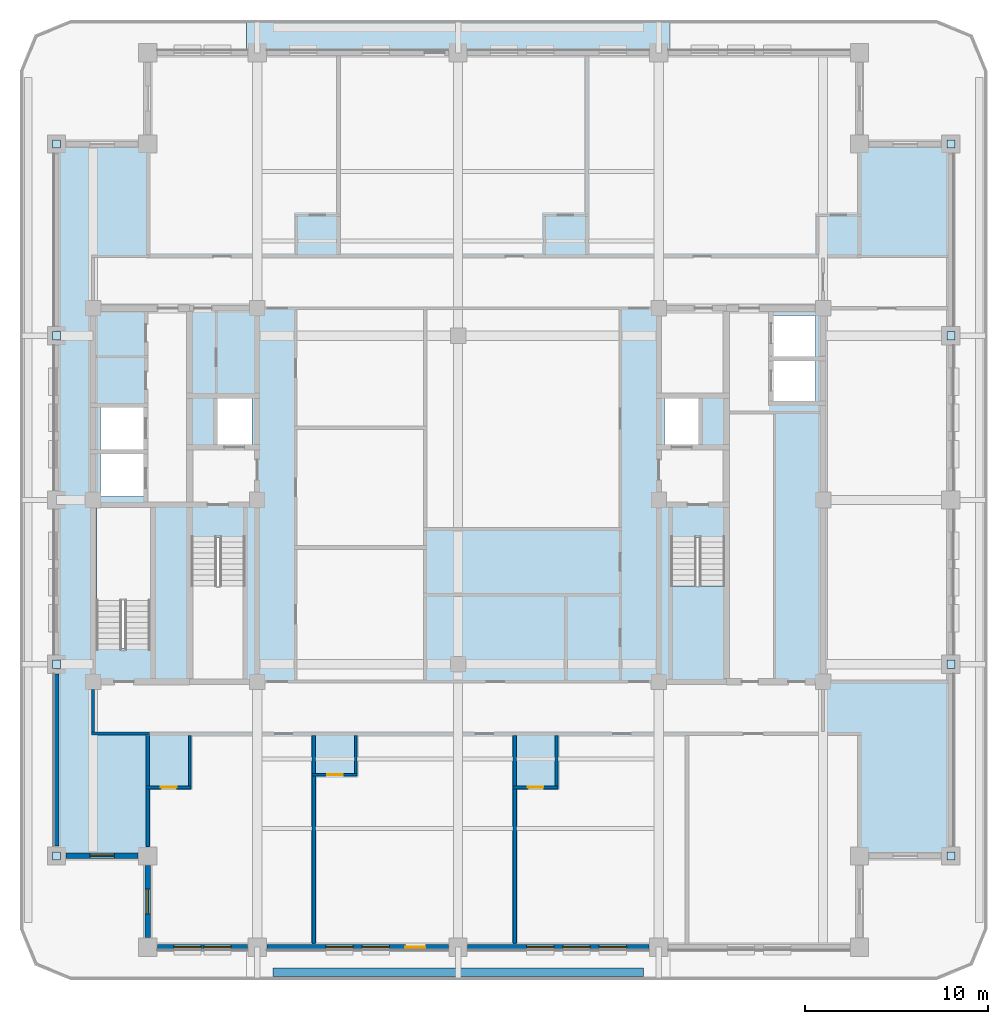
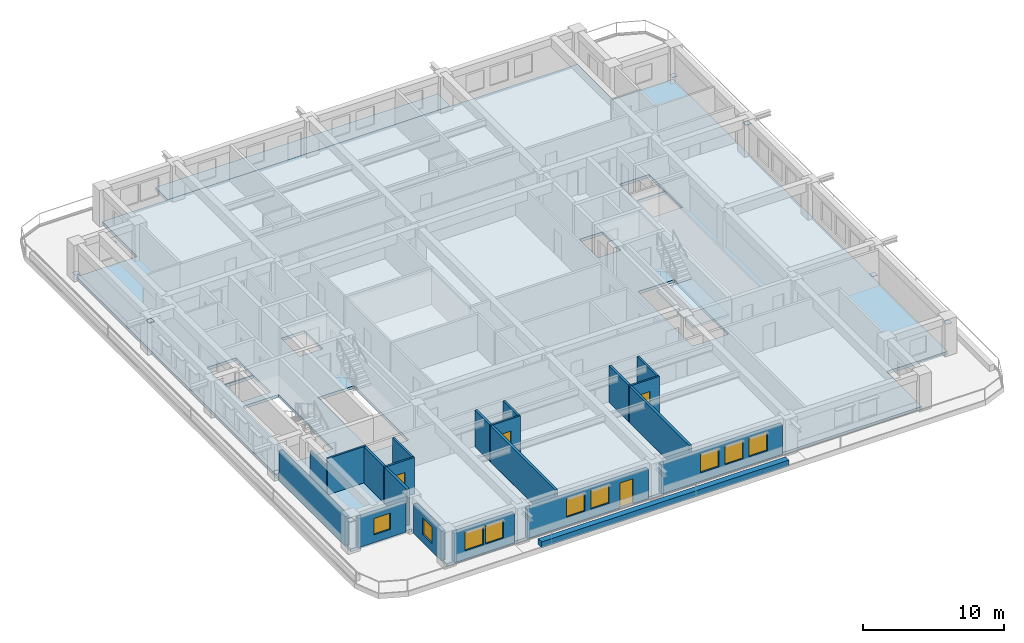
# One storey, part 2 of 13: 21 walls, 9 windows, 8 plates, 4 doors, 3 slabs, 13 openings, 1 element without a shape of its own.
"""IFC4 building model written with IfcOpenShell, lengths in metres."""

from ifc_helpers import new_model, si_unit, direction, frame, frame_2d, origin, origin_2d, place, context, subcontext, project, spatial, polyline, rectangle, outline, extrude, material, layer, layer_set, type_object, element, fill, aggregate, save


model = new_model("IFC4")

# Units and contexts
model_context = context("Model", 3, precision=1e-05, world=origin(), true_north=direction((0.0, 1.0)))
body_context = subcontext(model_context, "Body", "Model", "MODEL_VIEW")
ifc_project = project(units=[si_unit("LENGTHUNIT", "METRE"), si_unit("AREAUNIT", "SQUARE_METRE"), si_unit("VOLUMEUNIT", "CUBIC_METRE"), si_unit("PLANEANGLEUNIT", "RADIAN"), si_unit("MASSUNIT", "GRAM", prefix="KILO")], contexts=[model_context])

# Site, building, storey
site_placement = place(None, origin())
site = spatial("IfcSite", under=ifc_project, at=site_placement, CompositionType="ELEMENT")
building_placement = place(site_placement, origin())
building = spatial("IfcBuilding", under=site, at=building_placement, Name="Zulmaris Gate Convention Tower", CompositionType="ELEMENT")
storey_placement = place(building_placement, frame((0.0, 0.0, 169.4599609375)))
storey = spatial("IfcBuildingStorey", under=building, at=storey_placement, Name="L43", CompositionType="ELEMENT", Elevation=169.4599609375)

# Plates
ifc_material_1 = material(Name="Steel S460", Category="steel")
ifc_layer_1 = layer(ifc_material_1, 0.02490234375, Name="Steel S460")
ifc_layer_set_1 = layer_set([ifc_layer_1], Name="Steel S460")
plate_type = type_object("IfcPlateType", Name="NP-CAP-440", PredefinedType="USERDEFINED", material=ifc_layer_set_1)
for number, where, z_axis, x_axis, name in (
    (1, (-22.0, -9.0, 0.28759765625), (0.0, 0.0, 1.0), (1.0, 0.0, 0.0), "L43 Steel Node Plate PBR-L43-SW-W-CAP"),
    (2, (-22.0, -19.5, 2.517578125), (0.0, 0.0, 1.0), (1.0, 0.0, 0.0), "L43 Steel Node Plate PBR-L43-SW-W-CAPB"),
    (3, (-22.0, 19.5, 0.28759765625), (0.0, 0.0, 1.0), (1.0, 0.0, 0.0), "L43 Steel Node Plate PBR-L43-NW-W-CAP"),
    (4, (-22.0, 9.0, 2.517578125), (0.0, 0.0, 1.0), (1.0, 0.0, 0.0), "L43 Steel Node Plate PBR-L43-NW-W-CAPB"),
    (5, (27.0, -9.0, 0.28759765625), (0.0, 0.0, 1.0), (1.0, 0.0, 0.0), "L43 Steel Node Plate PBR-L43-SE-E-CAP"),
    (6, (27.0, -19.5, 2.517578125), (0.0, 0.0, 1.0), (1.0, 0.0, 0.0), "L43 Steel Node Plate PBR-L43-SE-E-CAPB"),
    (7, (27.0, 19.5, 0.28759765625), (0.0, 0.0, 1.0), (1.0, 0.0, 0.0), "L43 Steel Node Plate PBR-L43-NE-E-CAP"),
    (8, (27.0, 9.0, 2.517578125), (0.0, 0.0, 1.0), (1.0, 0.0, 0.0), "L43 Steel Node Plate PBR-L43-NE-E-CAPB"),
):
    element("IfcPlate", number, at=place(storey_placement, frame(where, z_axis=z_axis, x_axis=x_axis)), inside=storey, type_object=plate_type, Name=name, ObjectType="FLANGE PLATE", PredefinedType="USERDEFINED", context=body_context, shape_type="SweptSolid", body=[
        extrude(rectangle(XDim=0.43994140625, YDim=0.43994140625, at=origin_2d()), origin(), (0.0, 0.0, 1.0), 0.02490234375),
    ])

# Slabs
ifc_material_2 = material(Name="Precast concrete C50/60", Category="concrete")
ifc_layer_2 = layer(ifc_material_2, 0.239990234375, Name="Precast concrete C50/60")
ifc_layer_set_2 = layer_set([ifc_layer_2], Name="Precast concrete C50/60")
slab_type_1 = type_object("IfcSlabType", Name="SL-BAL-240", PredefinedType="FLOOR", material=ifc_layer_set_2)
slab_1_placement = place(storey_placement, frame((0.0, 0.0, -0.25)))
element("IfcSlab", 9, at=slab_1_placement, inside=storey, type_object=slab_type_1, Name="L43 North Tree-Balcony Planter Slab", PredefinedType="FLOOR", context=body_context, shape_type="SweptSolid", body=[
    extrude(outline(polyline([(11.597900390625, 26.300048828125), (11.597900390625, 24.5), (-11.597900390625, 24.5), (-11.597900390625, 26.300048828125), (11.597900390625, 26.300048828125)])), origin(), (0.0, 0.0, 1.0), 0.239990234375),
])
ifc_material_3 = material(Name="Concrete C50/60", Category="concrete")
ifc_layer_3 = layer(ifc_material_3, 0.25, Name="Concrete C50/60")
ifc_layer_set_3 = layer_set([ifc_layer_3], Name="Concrete C50/60")
slab_type_2 = type_object("IfcSlabType", Name="SL-FLR-250", PredefinedType="FLOOR", material=ifc_layer_set_3)
slab_2_placement = place(storey_placement, frame((0.0, 0.0, -0.25)))
element("IfcSlab", 10, at=slab_2_placement, inside=storey, type_object=slab_type_2, Name="L43 Shifted Notched-Square Structural Floor Slab", PredefinedType="FLOOR", context=body_context, shape_type="SweptSolid", body=[
    extrude(outline(polyline([(-17.0, -24.5), (22.0, -24.5), (22.0, -19.5), (27.0, -19.5), (27.0, 19.5), (22.0, 19.5), (22.0, 24.5), (-17.0, 24.5), (-17.0, 19.5), (-22.0, 19.5), (-22.0, -19.5), (-17.0, -19.5), (-17.0, -24.5)]), holes=[polyline([(-14.6201171875, -2.080078125), (-14.6201171875, -9.85009765625), (-11.659912109375, -9.85009765625), (-11.659912109375, -2.080078125), (-14.6201171875, -2.080078125)]), polyline([(11.659912109375, -2.080078125), (11.659912109375, -9.85009765625), (14.6201171875, -9.85009765625), (14.6201171875, -2.080078125), (11.659912109375, -2.080078125)]), polyline([(-16.860107421875, -8.1201171875), (-16.860107421875, -0.35009765625), (-19.820068359375, -0.35009765625), (-19.820068359375, -8.1201171875), (-16.860107421875, -8.1201171875)]), polyline([(-13.199951171875, 3.0), (-11.300048828125, 3.0), (-11.300048828125, 5.60009765625), (-13.199951171875, 5.60009765625), (-13.199951171875, 3.0)]), polyline([(11.300048828125, 3.0), (13.199951171875, 3.0), (13.199951171875, 5.60009765625), (11.300048828125, 5.60009765625), (11.300048828125, 3.0)]), polyline([(17.199951171875, 5.39990234375), (19.60009765625, 5.39990234375), (19.60009765625, 7.699951171875), (17.199951171875, 7.699951171875), (17.199951171875, 5.39990234375)]), polyline([(17.199951171875, 7.800048828125), (19.60009765625, 7.800048828125), (19.60009765625, 10.10009765625), (17.199951171875, 10.10009765625), (17.199951171875, 7.800048828125)]), polyline([(-19.60009765625, 0.199951171875), (-17.199951171875, 0.199951171875), (-17.199951171875, 2.60009765625), (-19.60009765625, 2.60009765625), (-19.60009765625, 0.199951171875)]), polyline([(-19.60009765625, 2.699951171875), (-17.199951171875, 2.699951171875), (-17.199951171875, 5.10009765625), (-19.60009765625, 5.10009765625), (-19.60009765625, 2.699951171875)])]), origin(), (0.0, 0.0, 1.0), 0.25),
])

# Stair, slab
ifc_material_4 = material(Name="Concrete C45/55", Category="concrete")
stair_type = type_object("IfcStairType", Name="ST-CORE-DOGLEG", PredefinedType="HALF_TURN_STAIR", material=ifc_material_4)
stair_placement = place(storey_placement, origin())
stair = element("IfcStair", 11, at=stair_placement, inside=storey, type_object=stair_type, Name="L43 Core Exit Stair ST-2", PredefinedType="HALF_TURN_STAIR")
ifc_layer_4 = layer(ifc_material_4, 0.199951171875, Name="Concrete C45/55")
ifc_layer_set_4 = layer_set([ifc_layer_4], Name="Concrete C45/55")
slab_type_3 = type_object("IfcSlabType", Name="SL-LND-200", PredefinedType="LANDING", material=ifc_layer_set_4)
slab_3_placement = place(storey_placement, frame((0.0, 0.0, 1.5)))
slab_3 = element("IfcSlab", 12, at=slab_3_placement, type_object=slab_type_3, Name="ST-2 landing 1", PredefinedType="LANDING", context=body_context, shape_type="SweptSolid", body=[
    extrude(outline(polyline([(11.659912109375, -4.699951171875), (11.659912109375, -9.85009765625), (14.6201171875, -9.85009765625), (14.6201171875, -4.699951171875), (11.659912109375, -4.699951171875)])), origin(), (0.0, 0.0, 1.0), 0.199951171875),
])
aggregate(stair, [slab_3])

# Wall, opening, door
ifc_material_5 = material(Name="Gypsum Metal Stud Partition")
ifc_layer_5 = layer(ifc_material_5, 0.14990234375, Name="Gypsum Metal Stud Partition")
ifc_layer_set_5 = layer_set([ifc_layer_5], Name="Gypsum Metal Stud Partition")
wall_type_1 = type_object("IfcWallType", Name="PART-150", PredefinedType="PARTITIONING", material=ifc_layer_set_5)
wall_1_placement = place(storey_placement, frame((-17.10009765625, -15.75, 0.0), z_axis=(0.0, 0.0, 1.0), x_axis=(1.0, 0.0, 0.0)))
wall_1 = element("IfcWall", 13, at=wall_1_placement, inside=storey, type_object=wall_type_1, Name="WL-L43-019", PredefinedType="PARTITIONING", context=body_context, shape_type="SweptSolid", body=[
    extrude(rectangle(XDim=2.47509765625, YDim=0.14990234375, at=frame_2d((1.237548828125, 0.0))), origin(), (0.0, 0.0, 1.0), 3.14990234375),
])
opening_1_placement = place(wall_1_placement, frame((0.824951171875, 0.0, 0.0)))
opening_1 = element("IfcOpeningElement", 14, at=opening_1_placement, cuts=wall_1, Name="Opening D-17", PredefinedType="OPENING", context=body_context, shape_type="SweptSolid", body=[
    extrude(rectangle(XDim=0.85009765625, YDim=2.10009765625, at=frame_2d((0.425048828125, 1.050048828125))), frame((0.0, 0.0849609375, 0.0), z_axis=(0.0, -1.0, 0.0), x_axis=(1.0, 0.0, 0.0)), (0.0, 0.0, 1.0), 0.169921875),
])
ifc_material_6 = material(Name="Moisture-Resistant Hardwood Timber", Category="wood")
door_type_1 = type_object("IfcDoorType", Name="DR-850", OperationType="NOTDEFINED", PredefinedType="DOOR", material=ifc_material_6)
door_1_placement = place(opening_1_placement, origin())
door_1 = element("IfcDoor", 15, at=door_1_placement, inside=storey, type_object=door_type_1, Name="L43 En-Suite Door 32", OperationType="SINGLE_SWING_LEFT", OverallHeight=2.10009765625, OverallWidth=0.85009765625, PredefinedType="DOOR", context=body_context, shape_type="SweptSolid", body=[
    extrude(rectangle(XDim=0.85009765625, YDim=2.10009765625, at=frame_2d((0.425048828125, 1.050048828125))), frame((0.0, 0.02490234375, 0.0), z_axis=(0.0, -1.0, 0.0), x_axis=(1.0, 0.0, 0.0)), (0.0, 0.0, 1.0), 0.050048828125),
])
fill(opening_1, door_1)

wall_2_placement = place(storey_placement, frame((3.0, -15.75, 0.0), z_axis=(0.0, 0.0, 1.0), x_axis=(1.0, 0.0, 0.0)))
wall_2 = element("IfcWall", 16, at=wall_2_placement, inside=storey, type_object=wall_type_1, Name="WL-L43-020", PredefinedType="PARTITIONING", context=body_context, shape_type="SweptSolid", body=[
    extrude(rectangle(XDim=2.47509765625, YDim=0.14990234375, at=frame_2d((1.237548828125, 0.0))), origin(), (0.0, 0.0, 1.0), 3.14990234375),
])
opening_2_placement = place(wall_2_placement, frame((0.824951171875, 0.0, 0.0)))
opening_2 = element("IfcOpeningElement", 17, at=opening_2_placement, cuts=wall_2, Name="Opening D-17", PredefinedType="OPENING", context=body_context, shape_type="SweptSolid", body=[
    extrude(rectangle(XDim=0.85009765625, YDim=2.10009765625, at=frame_2d((0.425048828125, 1.050048828125))), frame((0.0, 0.0849609375, 0.0), z_axis=(0.0, -1.0, 0.0), x_axis=(1.0, 0.0, 0.0)), (0.0, 0.0, 1.0), 0.169921875),
])
door_2_placement = place(opening_2_placement, origin())
door_2 = element("IfcDoor", 18, at=door_2_placement, inside=storey, type_object=door_type_1, Name="L43 En-Suite Door 36", OperationType="SINGLE_SWING_LEFT", OverallHeight=2.10009765625, OverallWidth=0.85009765625, PredefinedType="DOOR", context=body_context, shape_type="SweptSolid", body=[
    extrude(rectangle(XDim=0.85009765625, YDim=2.10009765625, at=frame_2d((0.425048828125, 1.050048828125))), frame((0.0, 0.02490234375, 0.0), z_axis=(0.0, -1.0, 0.0), x_axis=(1.0, 0.0, 0.0)), (0.0, 0.0, 1.0), 0.050048828125),
])
fill(opening_2, door_2)

wall_3_placement = place(storey_placement, frame((-8.0, -15.050048828125, 0.0), z_axis=(0.0, 0.0, 1.0), x_axis=(1.0, 0.0, 0.0)))
wall_3 = element("IfcWall", 19, at=wall_3_placement, inside=storey, type_object=wall_type_1, Name="WL-L43-021", PredefinedType="PARTITIONING", context=body_context, shape_type="SweptSolid", body=[
    extrude(rectangle(XDim=2.47509765625, YDim=0.14990234375, at=frame_2d((1.237548828125, 0.0))), origin(), (0.0, 0.0, 1.0), 3.14990234375),
])
opening_3_placement = place(wall_3_placement, frame((0.824951171875, 0.0, 0.0)))
opening_3 = element("IfcOpeningElement", 20, at=opening_3_placement, cuts=wall_3, Name="Opening D-17", PredefinedType="OPENING", context=body_context, shape_type="SweptSolid", body=[
    extrude(rectangle(XDim=0.85009765625, YDim=2.10009765625, at=frame_2d((0.425048828125, 1.050048828125))), frame((0.0, 0.0849609375, 0.0), z_axis=(0.0, -1.0, 0.0), x_axis=(1.0, 0.0, 0.0)), (0.0, 0.0, 1.0), 0.169921875),
])
door_3_placement = place(opening_3_placement, origin())
door_3 = element("IfcDoor", 21, at=door_3_placement, inside=storey, type_object=door_type_1, Name="L43 En-Suite Door 34", OperationType="SINGLE_SWING_LEFT", OverallHeight=2.10009765625, OverallWidth=0.85009765625, PredefinedType="DOOR", context=body_context, shape_type="SweptSolid", body=[
    extrude(rectangle(XDim=0.85009765625, YDim=2.10009765625, at=frame_2d((0.425048828125, 1.050048828125))), frame((0.0, 0.02490234375, 0.0), z_axis=(0.0, -1.0, 0.0), x_axis=(1.0, 0.0, 0.0)), (0.0, 0.0, 1.0), 0.050048828125),
])
fill(opening_3, door_3)

# Walls
wall_4_placement = place(storey_placement, frame((-20.074951171875, -12.800048828125, 0.0), z_axis=(0.0, 0.0, 1.0), x_axis=(1.0, 0.0, 0.0)))
element("IfcWall", 22, at=wall_4_placement, inside=storey, type_object=wall_type_1, Name="WL-L43-022", PredefinedType="PARTITIONING", context=body_context, shape_type="SweptSolid", body=[
    extrude(rectangle(XDim=3.175048828125, YDim=0.14990234375, at=frame_2d((1.58740234375, 0.0))), origin(), (0.0, 0.0, 1.0), 3.14990234375),
])
wall_5_placement = place(storey_placement, frame((-20.0, -12.721923828125, 0.0), z_axis=(0.0, 0.0, 1.0), x_axis=(0.0, 1.0, 0.0)))
element("IfcWall", 23, at=wall_5_placement, inside=storey, type_object=wall_type_1, Name="WL-L43-072", PredefinedType="PARTITIONING", context=body_context, shape_type="SweptSolid", body=[
    extrude(rectangle(XDim=2.3408203125, YDim=0.14990234375, at=frame_2d((1.17041015625, 0.0))), origin(), (0.0, 0.0, 1.0), 2.342041015625),
])
wall_6_placement = place(storey_placement, frame((-14.699951171875, -15.672119140625, 0.0), z_axis=(0.0, 0.0, 1.0), x_axis=(0.0, 1.0, 0.0)))
element("IfcWall", 24, at=wall_6_placement, inside=storey, type_object=wall_type_1, Name="WL-L43-079", PredefinedType="PARTITIONING", context=body_context, shape_type="SweptSolid", body=[
    extrude(rectangle(XDim=2.76904296875, YDim=0.14990234375, at=frame_2d((1.384521484375, 0.0))), origin(), (0.0, 0.0, 1.0), 3.14990234375),
])
wall_7_placement = place(storey_placement, frame((-5.60009765625, -14.971923828125, 0.0), z_axis=(0.0, 0.0, 1.0), x_axis=(0.0, 1.0, 0.0)))
element("IfcWall", 25, at=wall_7_placement, inside=storey, type_object=wall_type_1, Name="WL-L43-089", PredefinedType="PARTITIONING", context=body_context, shape_type="SweptSolid", body=[
    extrude(rectangle(XDim=2.06884765625, YDim=0.14990234375, at=frame_2d((1.034423828125, 0.0))), origin(), (0.0, 0.0, 1.0), 3.14990234375),
])
wall_8_placement = place(storey_placement, frame((5.39990234375, -15.672119140625, 0.0), z_axis=(0.0, 0.0, 1.0), x_axis=(0.0, 1.0, 0.0)))
element("IfcWall", 26, at=wall_8_placement, inside=storey, type_object=wall_type_1, Name="WL-L43-098", PredefinedType="PARTITIONING", context=body_context, shape_type="SweptSolid", body=[
    extrude(rectangle(XDim=2.76904296875, YDim=0.14990234375, at=frame_2d((1.384521484375, 0.0))), origin(), (0.0, 0.0, 1.0), 3.14990234375),
])
ifc_material_7 = material(Name="Autoclaved Aerated Concrete Block and Plasterboard", Category="concrete")
ifc_layer_6 = layer(ifc_material_7, 0.199951171875, Name="Autoclaved Aerated Concrete Block and Plasterboard")
ifc_layer_set_6 = layer_set([ifc_layer_6], Name="Autoclaved Aerated Concrete Block and Plasterboard")
wall_type_2 = type_object("IfcWallType", Name="PART-200", PredefinedType="PARTITIONING", material=ifc_layer_set_6)
wall_9_placement = place(storey_placement, frame((-17.0, -18.993896484375, 0.0), z_axis=(0.0, 0.0, 1.0), x_axis=(0.0, 1.0, 0.0)))
element("IfcWall", 27, at=wall_9_placement, inside=storey, type_object=wall_type_2, Name="WL-L43-076", PredefinedType="PARTITIONING", context=body_context, shape_type="SweptSolid", body=[
    extrude(rectangle(XDim=3.166015625, YDim=0.199951171875, at=frame_2d((1.5830078125, 0.0))), origin(), (0.0, 0.0, 1.0), 3.14990234375),
])
wall_10_placement = place(storey_placement, frame((-17.0, -15.672119140625, 0.0), z_axis=(0.0, 0.0, 1.0), x_axis=(0.0, 1.0, 0.0)))
element("IfcWall", 28, at=wall_10_placement, inside=storey, type_object=wall_type_2, Name="WL-L43-077", PredefinedType="PARTITIONING", context=body_context, shape_type="SweptSolid", body=[
    extrude(rectangle(XDim=2.76904296875, YDim=0.199951171875, at=frame_2d((1.384521484375, 0.0))), origin(), (0.0, 0.0, 1.0), 3.14990234375),
])
wall_11_placement = place(storey_placement, frame((-7.89990234375, -24.3349609375, 0.0), z_axis=(0.0, 0.0, 1.0), x_axis=(0.0, 1.0, 0.0)))
element("IfcWall", 29, at=wall_11_placement, inside=storey, type_object=wall_type_2, Name="WL-L43-085", PredefinedType="PARTITIONING", context=body_context, shape_type="SweptSolid", body=[
    extrude(rectangle(XDim=9.20703125, YDim=0.199951171875, at=frame_2d((4.603515625, 0.0))), origin(), (0.0, 0.0, 1.0), 3.14990234375),
])
wall_12_placement = place(storey_placement, frame((-7.89990234375, -14.971923828125, 0.0), z_axis=(0.0, 0.0, 1.0), x_axis=(0.0, 1.0, 0.0)))
element("IfcWall", 30, at=wall_12_placement, inside=storey, type_object=wall_type_2, Name="WL-L43-086", PredefinedType="PARTITIONING", context=body_context, shape_type="SweptSolid", body=[
    extrude(rectangle(XDim=2.06884765625, YDim=0.199951171875, at=frame_2d((1.034423828125, 0.0))), origin(), (0.0, 0.0, 1.0), 3.14990234375),
])
wall_13_placement = place(storey_placement, frame((3.10009765625, -24.3349609375, 0.0), z_axis=(0.0, 0.0, 1.0), x_axis=(0.0, 1.0, 0.0)))
element("IfcWall", 31, at=wall_13_placement, inside=storey, type_object=wall_type_2, Name="WL-L43-095", PredefinedType="PARTITIONING", context=body_context, shape_type="SweptSolid", body=[
    extrude(rectangle(XDim=8.507080078125, YDim=0.199951171875, at=frame_2d((4.25341796875, 0.0))), origin(), (0.0, 0.0, 1.0), 3.14990234375),
])
wall_14_placement = place(storey_placement, frame((3.10009765625, -15.672119140625, 0.0), z_axis=(0.0, 0.0, 1.0), x_axis=(0.0, 1.0, 0.0)))
element("IfcWall", 32, at=wall_14_placement, inside=storey, type_object=wall_type_2, Name="WL-L43-096", PredefinedType="PARTITIONING", context=body_context, shape_type="SweptSolid", body=[
    extrude(rectangle(XDim=2.76904296875, YDim=0.199951171875, at=frame_2d((1.384521484375, 0.0))), origin(), (0.0, 0.0, 1.0), 3.14990234375),
])
ifc_material_8 = material(Name="Botanical Green Glazed Precast Concrete C40/50", Category="concrete")
ifc_layer_7 = layer(ifc_material_8, 0.419921875, Name="Botanical Green Glazed Precast Concrete C40/50")
ifc_layer_set_7 = layer_set([ifc_layer_7], Name="Botanical Green Glazed Precast Concrete C40/50")
wall_type_3 = type_object("IfcWallType", Name="PLANTER-CURB-200", PredefinedType="PARAPET", material=ifc_layer_set_7)
wall_15_placement = place(storey_placement, frame((-10.14990234375, -25.8798828125, -0.0400390625), z_axis=(0.0, 0.0, 1.0), x_axis=(1.0, 0.0, 0.0)))
element("IfcWall", 33, at=wall_15_placement, inside=storey, type_object=wall_type_3, Name="L43 Full-Length Balcony Tree Planter Trough", PredefinedType="PARAPET", context=body_context, shape_type="SweptSolid", body=[
    extrude(rectangle(XDim=20.2998046875, YDim=0.47998046875, at=frame_2d((10.14990234375, 0.0))), origin(), (0.0, 0.0, 1.0), 0.52001953125),
])

# Wall, opening, window
ifc_material_9 = material(Name="Precast concrete C40/50", Category="concrete")
ifc_layer_8 = layer(ifc_material_9, 0.300048828125, Name="Precast concrete C40/50")
ifc_layer_set_8 = layer_set([ifc_layer_8], Name="Precast concrete C40/50")
wall_type_4 = type_object("IfcWallType", Name="PRECAST-PIER-300", PredefinedType="STANDARD", material=ifc_layer_set_8)
wall_16_placement = place(storey_placement, frame((-21.469970703125, -19.5, 0.0), z_axis=(0.0, 0.0, 1.0), x_axis=(1.0, 0.0, 0.0)))
wall_16 = element("IfcWall", 34, at=wall_16_placement, inside=storey, type_object=wall_type_4, Name="EW-L43-NOTCH-SW1_0", PredefinedType="STANDARD", context=body_context, shape_type="SweptSolid", body=[
    extrude(rectangle(XDim=3.93994140625, YDim=0.300048828125, at=frame_2d((1.969970703125, 0.0))), origin(), (0.0, 0.0, 1.0), 2.5419921875),
])
opening_4_placement = place(wall_16_placement, frame((1.294921875, 0.0, 0.679931640625)))
opening_4 = element("IfcOpeningElement", 35, at=opening_4_placement, cuts=wall_16, Name="Opening W-10", PredefinedType="OPENING", context=body_context, shape_type="SweptSolid", body=[
    extrude(rectangle(XDim=1.35009765625, YDim=1.419921875, at=frame_2d((0.675048828125, 0.7099609375))), frame((0.0, 0.16015625, 0.0), z_axis=(0.0, -1.0, 0.0), x_axis=(1.0, 0.0, 0.0)), (0.0, 0.0, 1.0), 0.320068359375),
])
ifc_material_10 = material(Name="Low-E Laminated Double Glazing in Aluminium Frame", Category="aluminium")
window_type_1 = type_object("IfcWindowType", Name="WIN-1350x2000", PartitioningType="SINGLE_PANEL", PredefinedType="WINDOW", material=ifc_material_10)
window_1_placement = place(opening_4_placement, origin())
window_1 = element("IfcWindow", 36, at=window_1_placement, inside=storey, type_object=window_type_1, Name="WN-EW-L43-NOTCH-SW1_0", OverallHeight=1.419921875, OverallWidth=1.35009765625, PartitioningType="SINGLE_PANEL", PredefinedType="WINDOW", context=body_context, shape_type="SweptSolid", body=[
    extrude(rectangle(XDim=1.35009765625, YDim=1.419921875, at=frame_2d((0.675048828125, 0.7099609375))), frame((0.0, 0.030029296875, 0.0), z_axis=(0.0, -1.0, 0.0), x_axis=(1.0, 0.0, 0.0)), (0.0, 0.0, 1.0), 0.06005859375),
])
fill(opening_4, window_1)

wall_17_placement = place(storey_placement, frame((-17.0, -20.030029296875, 0.0), z_axis=(0.0, 0.0, 1.0), x_axis=(0.0, -1.0, 0.0)))
wall_17 = element("IfcWall", 37, at=wall_17_placement, inside=storey, type_object=wall_type_4, Name="EW-L43-NOTCH-SW2_0", PredefinedType="STANDARD", context=body_context, shape_type="SweptSolid", body=[
    extrude(rectangle(XDim=3.93994140625, YDim=0.300048828125, at=frame_2d((1.969970703125, 0.0))), origin(), (0.0, 0.0, 1.0), 2.5419921875),
])
opening_5_placement = place(wall_17_placement, frame((1.294921875, 0.0, 0.679931640625)))
opening_5 = element("IfcOpeningElement", 38, at=opening_5_placement, cuts=wall_17, Name="Opening W-10", PredefinedType="OPENING", context=body_context, shape_type="SweptSolid", body=[
    extrude(rectangle(XDim=1.35009765625, YDim=1.419921875, at=frame_2d((0.675048828125, 0.7099609375))), frame((0.0, 0.16015625, 0.0), z_axis=(0.0, -1.0, 0.0), x_axis=(1.0, 0.0, 0.0)), (0.0, 0.0, 1.0), 0.320068359375),
])
window_2_placement = place(opening_5_placement, origin())
window_2 = element("IfcWindow", 39, at=window_2_placement, inside=storey, type_object=window_type_1, Name="WN-EW-L43-NOTCH-SW2_0", OverallHeight=1.419921875, OverallWidth=1.35009765625, PartitioningType="SINGLE_PANEL", PredefinedType="WINDOW", context=body_context, shape_type="SweptSolid", body=[
    extrude(rectangle(XDim=1.35009765625, YDim=1.419921875, at=frame_2d((0.675048828125, 0.7099609375))), frame((0.0, 0.030029296875, 0.0), z_axis=(0.0, -1.0, 0.0), x_axis=(1.0, 0.0, 0.0)), (0.0, 0.0, 1.0), 0.06005859375),
])
fill(opening_5, window_2)

# Wall, openings, windows
wall_18_placement = place(storey_placement, frame((-16.469970703125, -24.5, 0.0), z_axis=(0.0, 0.0, 1.0), x_axis=(1.0, 0.0, 0.0)))
wall_18 = element("IfcWall", 40, at=wall_18_placement, inside=storey, type_object=wall_type_4, Name="EW-L43-S-0_0", PredefinedType="STANDARD", context=body_context, shape_type="SweptSolid", body=[
    extrude(rectangle(XDim=4.93994140625, YDim=0.300048828125, at=frame_2d((2.469970703125, 0.0))), origin(), (0.0, 0.0, 1.0), 2.5419921875),
])
opening_6_placement = place(wall_18_placement, frame((0.89697265625, 0.0, 0.719970703125)))
opening_6 = element("IfcOpeningElement", 41, at=opening_6_placement, cuts=wall_18, Name="Opening W-03", PredefinedType="OPENING", context=body_context, shape_type="SweptSolid", body=[
    extrude(rectangle(XDim=1.5, YDim=1.60009765625, at=frame_2d((0.75, 0.800048828125))), frame((0.0, 0.16015625, 0.0), z_axis=(0.0, -1.0, 0.0), x_axis=(1.0, 0.0, 0.0)), (0.0, 0.0, 1.0), 0.320068359375),
])
opening_7_placement = place(wall_18_placement, frame((2.54296875, 0.0, 0.719970703125)))
opening_7 = element("IfcOpeningElement", 42, at=opening_7_placement, cuts=wall_18, Name="Opening W-03", PredefinedType="OPENING", context=body_context, shape_type="SweptSolid", body=[
    extrude(rectangle(XDim=1.5, YDim=1.60009765625, at=frame_2d((0.75, 0.800048828125))), frame((0.0, 0.16015625, 0.0), z_axis=(0.0, -1.0, 0.0), x_axis=(1.0, 0.0, 0.0)), (0.0, 0.0, 1.0), 0.320068359375),
])
window_type_2 = type_object("IfcWindowType", Name="WIN-1500x2100", PartitioningType="SINGLE_PANEL", PredefinedType="WINDOW", material=ifc_material_10)
window_3_placement = place(opening_6_placement, origin())
window_3 = element("IfcWindow", 43, at=window_3_placement, inside=storey, type_object=window_type_2, Name="WN-EW-L43-S-0_0-1", OverallHeight=1.60009765625, OverallWidth=1.5, PartitioningType="SINGLE_PANEL", PredefinedType="WINDOW", context=body_context, shape_type="SweptSolid", body=[
    extrude(rectangle(XDim=1.5, YDim=1.60009765625, at=frame_2d((0.75, 0.800048828125))), frame((0.0, 0.030029296875, 0.0), z_axis=(0.0, -1.0, 0.0), x_axis=(1.0, 0.0, 0.0)), (0.0, 0.0, 1.0), 0.06005859375),
])
fill(opening_6, window_3)
window_4_placement = place(opening_7_placement, origin())
window_4 = element("IfcWindow", 44, at=window_4_placement, inside=storey, type_object=window_type_2, Name="WN-EW-L43-S-0_0-2", OverallHeight=1.60009765625, OverallWidth=1.5, PartitioningType="SINGLE_PANEL", PredefinedType="WINDOW", context=body_context, shape_type="SweptSolid", body=[
    extrude(rectangle(XDim=1.5, YDim=1.60009765625, at=frame_2d((0.75, 0.800048828125))), frame((0.0, 0.030029296875, 0.0), z_axis=(0.0, -1.0, 0.0), x_axis=(1.0, 0.0, 0.0)), (0.0, 0.0, 1.0), 0.06005859375),
])
fill(opening_7, window_4)

# Wall, openings, door, windows
wall_19_placement = place(storey_placement, frame((-10.469970703125, -24.5, 0.0), z_axis=(0.0, 0.0, 1.0), x_axis=(1.0, 0.0, 0.0)))
wall_19 = element("IfcWall", 45, at=wall_19_placement, inside=storey, type_object=wall_type_4, Name="EW-L43-S-1_0", PredefinedType="STANDARD", context=body_context, shape_type="SweptSolid", body=[
    extrude(rectangle(XDim=9.93994140625, YDim=0.300048828125, at=frame_2d((4.969970703125, 0.0))), origin(), (0.0, 0.0, 1.0), 2.5419921875),
])
opening_8_placement = place(wall_19_placement, frame((7.5849609375, 0.0, 0.0)))
opening_8 = element("IfcOpeningElement", 46, at=opening_8_placement, cuts=wall_19, Name="Opening D-04", PredefinedType="OPENING", context=body_context, shape_type="SweptSolid", body=[
    extrude(rectangle(XDim=1.10009765625, YDim=2.14990234375, at=frame_2d((0.550048828125, 1.074951171875))), frame((0.0, 0.16015625, 0.0), z_axis=(0.0, -1.0, 0.0), x_axis=(1.0, 0.0, 0.0)), (0.0, 0.0, 1.0), 0.320068359375),
])
opening_9_placement = place(wall_19_placement, frame((3.22607421875, 0.0, 0.719970703125)))
opening_9 = element("IfcOpeningElement", 47, at=opening_9_placement, cuts=wall_19, Name="Opening W-03", PredefinedType="OPENING", context=body_context, shape_type="SweptSolid", body=[
    extrude(rectangle(XDim=1.5, YDim=1.60009765625, at=frame_2d((0.75, 0.800048828125))), frame((0.0, 0.16015625, 0.0), z_axis=(0.0, -1.0, 0.0), x_axis=(1.0, 0.0, 0.0)), (0.0, 0.0, 1.0), 0.320068359375),
])
opening_10_placement = place(wall_19_placement, frame((5.214111328125, 0.0, 0.719970703125)))
opening_10 = element("IfcOpeningElement", 48, at=opening_10_placement, cuts=wall_19, Name="Opening W-03", PredefinedType="OPENING", context=body_context, shape_type="SweptSolid", body=[
    extrude(rectangle(XDim=1.5, YDim=1.60009765625, at=frame_2d((0.75, 0.800048828125))), frame((0.0, 0.16015625, 0.0), z_axis=(0.0, -1.0, 0.0), x_axis=(1.0, 0.0, 0.0)), (0.0, 0.0, 1.0), 0.320068359375),
])
ifc_material_11 = material(Name="Anodised Aluminium and Laminated Glass", Category="aluminium")
door_type_2 = type_object("IfcDoorType", Name="ED-1100", OperationType="SINGLE_SWING_RIGHT", PredefinedType="DOOR", material=ifc_material_11)
door_4_placement = place(opening_8_placement, origin())
door_4 = element("IfcDoor", 49, at=door_4_placement, inside=storey, type_object=door_type_2, Name="L43 S Planted Terrace Door", OperationType="SINGLE_SWING_RIGHT", OverallHeight=2.14990234375, OverallWidth=1.10009765625, PredefinedType="DOOR", context=body_context, shape_type="SweptSolid", body=[
    extrude(rectangle(XDim=1.10009765625, YDim=2.14990234375, at=frame_2d((0.550048828125, 1.074951171875))), frame((0.0, 0.02490234375, 0.0), z_axis=(0.0, -1.0, 0.0), x_axis=(1.0, 0.0, 0.0)), (0.0, 0.0, 1.0), 0.050048828125),
])
fill(opening_8, door_4)
window_5_placement = place(opening_9_placement, origin())
window_5 = element("IfcWindow", 50, at=window_5_placement, inside=storey, type_object=window_type_2, Name="WN-EW-L43-S-1_0-2", OverallHeight=1.60009765625, OverallWidth=1.5, PartitioningType="SINGLE_PANEL", PredefinedType="WINDOW", context=body_context, shape_type="SweptSolid", body=[
    extrude(rectangle(XDim=1.5, YDim=1.60009765625, at=frame_2d((0.75, 0.800048828125))), frame((0.0, 0.030029296875, 0.0), z_axis=(0.0, -1.0, 0.0), x_axis=(1.0, 0.0, 0.0)), (0.0, 0.0, 1.0), 0.06005859375),
])
fill(opening_9, window_5)
window_6_placement = place(opening_10_placement, origin())
window_6 = element("IfcWindow", 51, at=window_6_placement, inside=storey, type_object=window_type_2, Name="WN-EW-L43-S-1_0-3", OverallHeight=1.60009765625, OverallWidth=1.5, PartitioningType="SINGLE_PANEL", PredefinedType="WINDOW", context=body_context, shape_type="SweptSolid", body=[
    extrude(rectangle(XDim=1.5, YDim=1.60009765625, at=frame_2d((0.75, 0.800048828125))), frame((0.0, 0.030029296875, 0.0), z_axis=(0.0, -1.0, 0.0), x_axis=(1.0, 0.0, 0.0)), (0.0, 0.0, 1.0), 0.06005859375),
])
fill(opening_10, window_6)

# Wall, openings, windows
wall_20_placement = place(storey_placement, frame((0.530029296875, -24.5, 0.0), z_axis=(0.0, 0.0, 1.0), x_axis=(1.0, 0.0, 0.0)))
wall_20 = element("IfcWall", 52, at=wall_20_placement, inside=storey, type_object=wall_type_4, Name="EW-L43-S-2_0", PredefinedType="STANDARD", context=body_context, shape_type="SweptSolid", body=[
    extrude(rectangle(XDim=9.93994140625, YDim=0.300048828125, at=frame_2d((4.969970703125, 0.0))), origin(), (0.0, 0.0, 1.0), 2.5419921875),
])
opening_11_placement = place(wall_20_placement, frame((3.22607421875, 0.0, 0.719970703125)))
opening_11 = element("IfcOpeningElement", 53, at=opening_11_placement, cuts=wall_20, Name="Opening W-03", PredefinedType="OPENING", context=body_context, shape_type="SweptSolid", body=[
    extrude(rectangle(XDim=1.5, YDim=1.60009765625, at=frame_2d((0.75, 0.800048828125))), frame((0.0, 0.16015625, 0.0), z_axis=(0.0, -1.0, 0.0), x_axis=(1.0, 0.0, 0.0)), (0.0, 0.0, 1.0), 0.320068359375),
])
opening_12_placement = place(wall_20_placement, frame((5.214111328125, 0.0, 0.719970703125)))
opening_12 = element("IfcOpeningElement", 54, at=opening_12_placement, cuts=wall_20, Name="Opening W-03", PredefinedType="OPENING", context=body_context, shape_type="SweptSolid", body=[
    extrude(rectangle(XDim=1.5, YDim=1.60009765625, at=frame_2d((0.75, 0.800048828125))), frame((0.0, 0.16015625, 0.0), z_axis=(0.0, -1.0, 0.0), x_axis=(1.0, 0.0, 0.0)), (0.0, 0.0, 1.0), 0.320068359375),
])
opening_13_placement = place(wall_20_placement, frame((7.201904296875, 0.0, 0.719970703125)))
opening_13 = element("IfcOpeningElement", 55, at=opening_13_placement, cuts=wall_20, Name="Opening W-03", PredefinedType="OPENING", context=body_context, shape_type="SweptSolid", body=[
    extrude(rectangle(XDim=1.5, YDim=1.60009765625, at=frame_2d((0.75, 0.800048828125))), frame((0.0, 0.16015625, 0.0), z_axis=(0.0, -1.0, 0.0), x_axis=(1.0, 0.0, 0.0)), (0.0, 0.0, 1.0), 0.320068359375),
])
window_7_placement = place(opening_11_placement, origin())
window_7 = element("IfcWindow", 56, at=window_7_placement, inside=storey, type_object=window_type_2, Name="WN-EW-L43-S-2_0-2", OverallHeight=1.60009765625, OverallWidth=1.5, PartitioningType="SINGLE_PANEL", PredefinedType="WINDOW", context=body_context, shape_type="SweptSolid", body=[
    extrude(rectangle(XDim=1.5, YDim=1.60009765625, at=frame_2d((0.75, 0.800048828125))), frame((0.0, 0.030029296875, 0.0), z_axis=(0.0, -1.0, 0.0), x_axis=(1.0, 0.0, 0.0)), (0.0, 0.0, 1.0), 0.06005859375),
])
fill(opening_11, window_7)
window_8_placement = place(opening_12_placement, origin())
window_8 = element("IfcWindow", 57, at=window_8_placement, inside=storey, type_object=window_type_2, Name="WN-EW-L43-S-2_0-3", OverallHeight=1.60009765625, OverallWidth=1.5, PartitioningType="SINGLE_PANEL", PredefinedType="WINDOW", context=body_context, shape_type="SweptSolid", body=[
    extrude(rectangle(XDim=1.5, YDim=1.60009765625, at=frame_2d((0.75, 0.800048828125))), frame((0.0, 0.030029296875, 0.0), z_axis=(0.0, -1.0, 0.0), x_axis=(1.0, 0.0, 0.0)), (0.0, 0.0, 1.0), 0.06005859375),
])
fill(opening_12, window_8)
window_9_placement = place(opening_13_placement, origin())
window_9 = element("IfcWindow", 58, at=window_9_placement, inside=storey, type_object=window_type_2, Name="WN-EW-L43-S-2_0-4", OverallHeight=1.60009765625, OverallWidth=1.5, PartitioningType="SINGLE_PANEL", PredefinedType="WINDOW", context=body_context, shape_type="SweptSolid", body=[
    extrude(rectangle(XDim=1.5, YDim=1.60009765625, at=frame_2d((0.75, 0.800048828125))), frame((0.0, 0.030029296875, 0.0), z_axis=(0.0, -1.0, 0.0), x_axis=(1.0, 0.0, 0.0)), (0.0, 0.0, 1.0), 0.06005859375),
])
fill(opening_13, window_9)

# Wall
wall_21_placement = place(storey_placement, frame((-22.0, -9.530029296875, 0.0), z_axis=(0.0, 0.0, 1.0), x_axis=(0.0, -1.0, 0.0)))
element("IfcWall", 59, at=wall_21_placement, inside=storey, type_object=wall_type_4, Name="EW-L43-W-0_0", PredefinedType="STANDARD", context=body_context, shape_type="SweptSolid", body=[
    extrude(rectangle(XDim=9.43994140625, YDim=0.300048828125, at=frame_2d((4.719970703125, 0.0))), origin(), (0.0, 0.0, 1.0), 2.5419921875),
])

save(model, "model.ifc")
